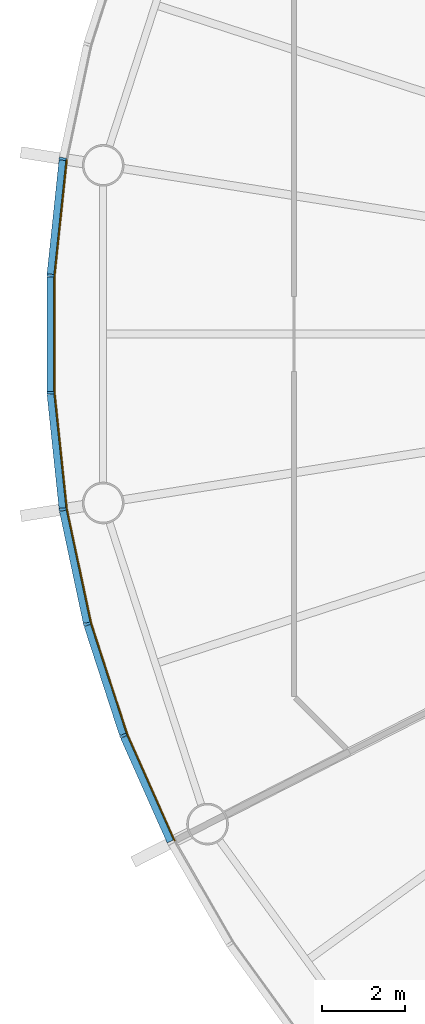
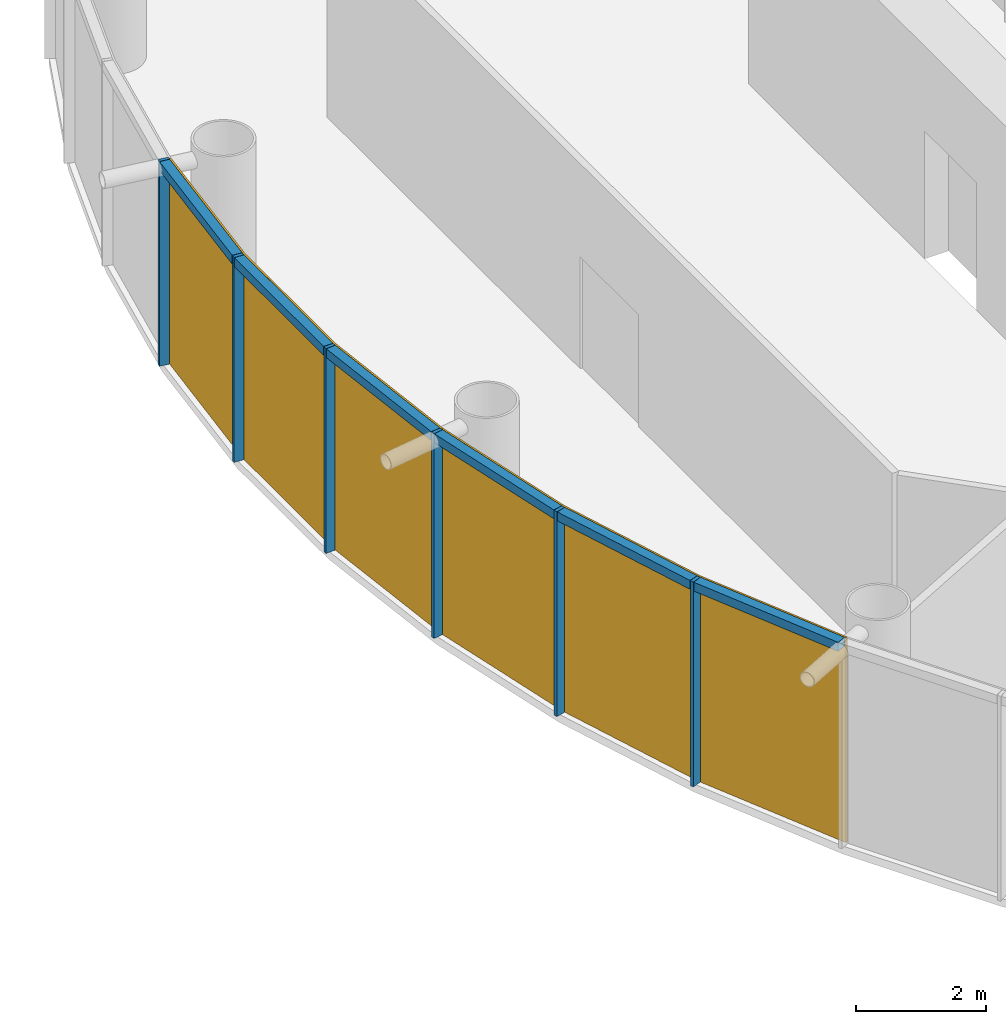
# One storey, part 8 of 13: 12 members, 2 curtain walls.
"""IFC4 building model written with IfcOpenShell, lengths in metres."""

from ifc_helpers import new_model, si_unit, direction, frame, origin, origin_2d, place, context, subcontext, project, spatial, polyline, rectangle, outline, extrude, material, layer, layer_set, material_profile, profile_set, type_object, element, aggregate, save


model = new_model("IFC4")

# Units and contexts
model_context = context("Model", 3, precision=1e-05, world=origin(), true_north=direction((0.0, 1.0)))
body_context = subcontext(model_context, "Body", "Model", "MODEL_VIEW")
ifc_project = project(units=[si_unit("LENGTHUNIT", "METRE"), si_unit("AREAUNIT", "SQUARE_METRE"), si_unit("VOLUMEUNIT", "CUBIC_METRE"), si_unit("PLANEANGLEUNIT", "RADIAN"), si_unit("MASSUNIT", "GRAM", prefix="KILO")], contexts=[model_context])

# Member
ifc_material_1 = material(Name="Anodised aluminium", Category="aluminium")
ifc_material_profile_1 = material_profile(ifc_material_1, rectangle(XDim=0.06005859375, YDim=0.169921875, at=origin_2d()), Name="Mullion 60 x 170 mm anodised aluminium")
ifc_profile_set_1 = profile_set([ifc_material_profile_1], Name="Anodised aluminium")
member_type_1 = type_object("IfcMemberType", Name="Mullion 60 x 170 mm anodised aluminium", PredefinedType="MULLION", material=ifc_profile_set_1)
site_placement = place(None, origin())
building_placement = place(site_placement, origin())
storey_placement = place(building_placement, frame((0.0, 0.0, 258.0)))
member_1_placement = place(storey_placement, frame((63.446044921875, 84.205810546875, 0.0), z_axis=(0.0, 0.0, 1.0), x_axis=(-0.15643446504, -0.987688340595, 0.0)))
member_1 = element("IfcMember", 1, at=member_1_placement, type_object=member_type_1, Name="MULLION L59-27", PredefinedType="MULLION", context=body_context, shape_type="SweptSolid", body=[
    extrude(rectangle(XDim=0.06005859375, YDim=0.169921875, at=origin_2d()), origin(), (0.0, 0.0, 1.0), 3.85009765625),
])

member_2_placement = place(storey_placement, frame((63.15185546875, 81.406982421875, 0.0), z_axis=(0.0, 0.0, 1.0), x_axis=(-0.052335956243, -0.998629534755, 0.0)))
member_2 = element("IfcMember", 2, at=member_2_placement, type_object=member_type_1, Name="MULLION L59-28", PredefinedType="MULLION", context=body_context, shape_type="SweptSolid", body=[
    extrude(rectangle(XDim=0.06005859375, YDim=0.169921875, at=origin_2d()), origin(), (0.0, 0.0, 1.0), 3.85009765625),
])

member_3_placement = place(storey_placement, frame((63.15185546875, 78.593017578125, 0.0), z_axis=(0.0, 0.0, 1.0), x_axis=(0.052335956243, -0.998629534755, 0.0)))
member_3 = element("IfcMember", 3, at=member_3_placement, type_object=member_type_1, Name="MULLION L59-29", PredefinedType="MULLION", context=body_context, shape_type="SweptSolid", body=[
    extrude(rectangle(XDim=0.06005859375, YDim=0.169921875, at=origin_2d()), origin(), (0.0, 0.0, 1.0), 3.85009765625),
])

member_4_placement = place(storey_placement, frame((63.446044921875, 75.794189453125, 0.0), z_axis=(0.0, 0.0, 1.0), x_axis=(0.15643446504, -0.987688340595, 0.0)))
member_4 = element("IfcMember", 4, at=member_4_placement, type_object=member_type_1, Name="MULLION L59-30", PredefinedType="MULLION", context=body_context, shape_type="SweptSolid", body=[
    extrude(rectangle(XDim=0.06005859375, YDim=0.169921875, at=origin_2d()), origin(), (0.0, 0.0, 1.0), 3.85009765625),
])

member_5_placement = place(storey_placement, frame((64.031005859375, 73.041748046875, 0.0), z_axis=(0.0, 0.0, 1.0), x_axis=(0.258819045103, -0.965925826289, 0.0)))
member_5 = element("IfcMember", 5, at=member_5_placement, type_object=member_type_1, Name="MULLION L59-31", PredefinedType="MULLION", context=body_context, shape_type="SweptSolid", body=[
    extrude(rectangle(XDim=0.06005859375, YDim=0.169921875, at=origin_2d()), origin(), (0.0, 0.0, 1.0), 3.85009765625),
])

member_6_placement = place(storey_placement, frame((64.900634765625, 70.365234375, 0.0), z_axis=(0.0, 0.0, 1.0), x_axis=(0.358367949545, -0.933580426497, 0.0)))
member_6 = element("IfcMember", 6, at=member_6_placement, type_object=member_type_1, Name="MULLION L59-32", PredefinedType="MULLION", context=body_context, shape_type="SweptSolid", body=[
    extrude(rectangle(XDim=0.06005859375, YDim=0.169921875, at=origin_2d()), origin(), (0.0, 0.0, 1.0), 3.85009765625),
])

ifc_material_2 = material(Name="Anodised aluminium", Category="aluminium")
ifc_material_profile_2 = material_profile(ifc_material_2, rectangle(XDim=0.169921875, YDim=0.1650390625, at=origin_2d()), Name="Transom 165 x 170 mm anodised aluminium")
ifc_profile_set_2 = profile_set([ifc_material_profile_2], Name="Anodised aluminium")
member_type_2 = type_object("IfcMemberType", Name="Transom 165 x 170 mm anodised aluminium", PredefinedType="USERDEFINED", material=ifc_profile_set_2)
member_7_placement = place(storey_placement, frame((63.4423828125, 84.17138671875, 3.767578125), z_axis=(-0.104592190102, -0.994515195344, 0.0), x_axis=(0.994515195344, -0.104592190102, 0.0)))
member_7 = element("IfcMember", 7, at=member_7_placement, type_object=member_type_2, Name="TRANSOM L59-27", ObjectType="TRANSOM", PredefinedType="USERDEFINED", context=body_context, shape_type="SweptSolid", body=[
    extrude(rectangle(XDim=0.169921875, YDim=0.1650390625, at=origin_2d()), origin(), (0.0, 0.0, 1.0), 2.7451171875),
])

member_8_placement = place(storey_placement, frame((63.151611328125, 81.37255859375, 3.767578125), z_axis=(0.0, -1.0, 0.0), x_axis=(1.0, 0.0, 0.0)))
member_8 = element("IfcMember", 8, at=member_8_placement, type_object=member_type_2, Name="TRANSOM L59-28", ObjectType="TRANSOM", PredefinedType="USERDEFINED", context=body_context, shape_type="SweptSolid", body=[
    extrude(rectangle(XDim=0.169921875, YDim=0.1650390625, at=origin_2d()), origin(), (0.0, 0.0, 1.0), 2.7451171875),
])

member_9_placement = place(storey_placement, frame((63.1552734375, 78.55859375, 3.767578125), z_axis=(0.104592190102, -0.994515195344, 0.0), x_axis=(0.994515195344, 0.104592190102, 0.0)))
member_9 = element("IfcMember", 9, at=member_9_placement, type_object=member_type_2, Name="TRANSOM L59-29", ObjectType="TRANSOM", PredefinedType="USERDEFINED", context=body_context, shape_type="SweptSolid", body=[
    extrude(rectangle(XDim=0.169921875, YDim=0.1650390625, at=origin_2d()), origin(), (0.0, 0.0, 1.0), 2.7451171875),
])

member_10_placement = place(storey_placement, frame((63.453125, 75.760498046875, 3.767578125), z_axis=(0.207937468562, -0.97814212115, 0.0), x_axis=(0.97814212115, 0.207937468562, 0.0)))
member_10 = element("IfcMember", 10, at=member_10_placement, type_object=member_type_2, Name="TRANSOM L59-30", ObjectType="TRANSOM", PredefinedType="USERDEFINED", context=body_context, shape_type="SweptSolid", body=[
    extrude(rectangle(XDim=0.169921875, YDim=0.1650390625, at=origin_2d()), origin(), (0.0, 0.0, 1.0), 2.7451171875),
])

member_11_placement = place(storey_placement, frame((64.04150390625, 73.0087890625, 3.767578125), z_axis=(0.309041831781, -0.951048445774, 0.0), x_axis=(0.951048445774, 0.309041831781, 0.0)))
member_11 = element("IfcMember", 11, at=member_11_placement, type_object=member_type_2, Name="TRANSOM L59-31", ObjectType="TRANSOM", PredefinedType="USERDEFINED", context=body_context, shape_type="SweptSolid", body=[
    extrude(rectangle(XDim=0.169921875, YDim=0.1650390625, at=origin_2d()), origin(), (0.0, 0.0, 1.0), 2.7451171875),
])

member_12_placement = place(storey_placement, frame((64.91455078125, 70.333740234375, 3.767578125), z_axis=(0.406781987391, -0.913525267704, 0.0), x_axis=(0.913525267704, 0.406781987391, 0.0)))
member_12 = element("IfcMember", 12, at=member_12_placement, type_object=member_type_2, Name="TRANSOM L59-32", ObjectType="TRANSOM", PredefinedType="USERDEFINED", context=body_context, shape_type="SweptSolid", body=[
    extrude(rectangle(XDim=0.169921875, YDim=0.1650390625, at=origin_2d()), origin(), (0.0, 0.0, 1.0), 2.7451171875),
])

# Site, building, storey
site = spatial("IfcSite", under=ifc_project, at=site_placement, CompositionType="ELEMENT")
building = spatial("IfcBuilding", under=site, at=building_placement, Name="Entoto Ring Tower", CompositionType="ELEMENT")
storey = spatial("IfcBuildingStorey", under=building, at=storey_placement, Name="L59", CompositionType="ELEMENT", Elevation=258.0)

# Curtain wall
ifc_material_3 = material(Name="Clear low-iron glass", Category="glass")
ifc_layer = layer(ifc_material_3, 0.031982421875)
ifc_layer_set = layer_set([ifc_layer], Name="Clear low-iron glass")
curtain_wall_type = type_object("IfcCurtainWallType", Name="Curtain wall system CW4 glazing 32 mm", PredefinedType="NOTDEFINED", material=ifc_layer_set)
curtain_wall_1_placement = place(storey_placement, origin())
curtain_wall_1 = element("IfcCurtainWall", 13, at=curtain_wall_1_placement, inside=storey, type_object=curtain_wall_type, Name="CW4 L59-10", PredefinedType="NOTDEFINED", context=body_context, shape_type="SweptSolid", body=[
    extrude(outline(polyline([(63.530029296875, 84.1923828125), (63.23681640625, 81.402587890625), (63.23681640625, 78.597412109375), (63.530029296875, 75.8076171875), (63.5615234375, 75.8125), (63.268798828125, 78.59912109375), (63.268798828125, 81.40087890625), (63.5615234375, 84.1875), (63.530029296875, 84.1923828125)])), origin(), (0.0, 0.0, 1.0), 3.85009765625),
])

aggregate(curtain_wall_1, [member_1, member_2, member_3, member_7, member_8, member_9])

curtain_wall_2_placement = place(storey_placement, origin())
curtain_wall_2 = element("IfcCurtainWall", 14, at=curtain_wall_2_placement, inside=storey, type_object=curtain_wall_type, Name="CW4 L59-11", PredefinedType="NOTDEFINED", context=body_context, shape_type="SweptSolid", body=[
    extrude(outline(polyline([(63.530029296875, 75.8076171875), (64.11328125, 73.063720703125), (64.97998046875, 70.395751953125), (66.12109375, 67.8330078125), (66.149658203125, 67.84765625), (65.010009765625, 70.4072265625), (64.14404296875, 73.072021484375), (63.5615234375, 75.8125), (63.530029296875, 75.8076171875)])), origin(), (0.0, 0.0, 1.0), 3.85009765625),
])

aggregate(curtain_wall_2, [member_4, member_5, member_6, member_10, member_11, member_12])

save(model, "model.ifc")
